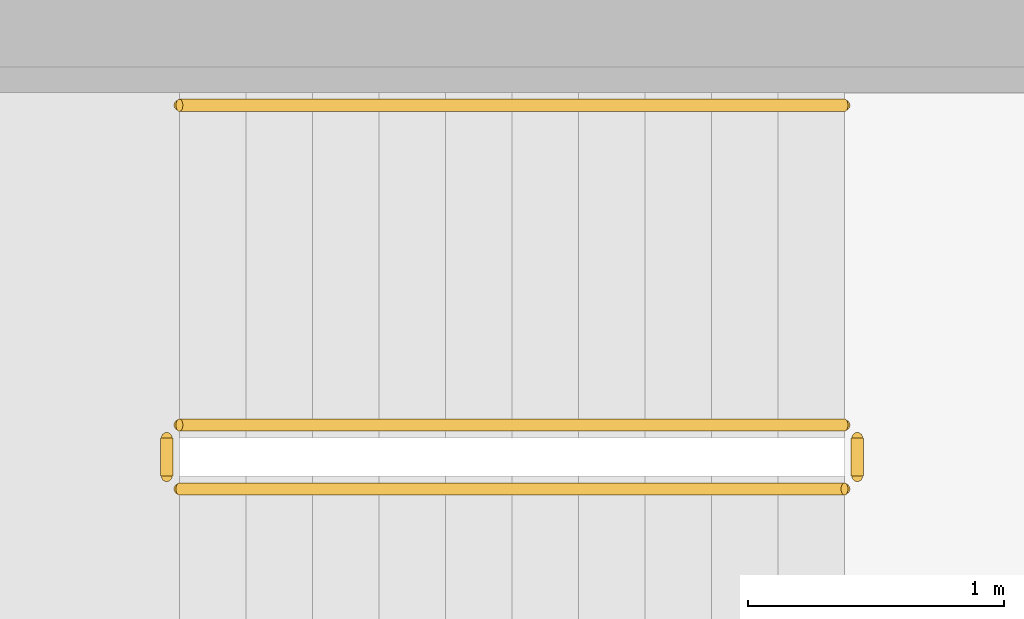
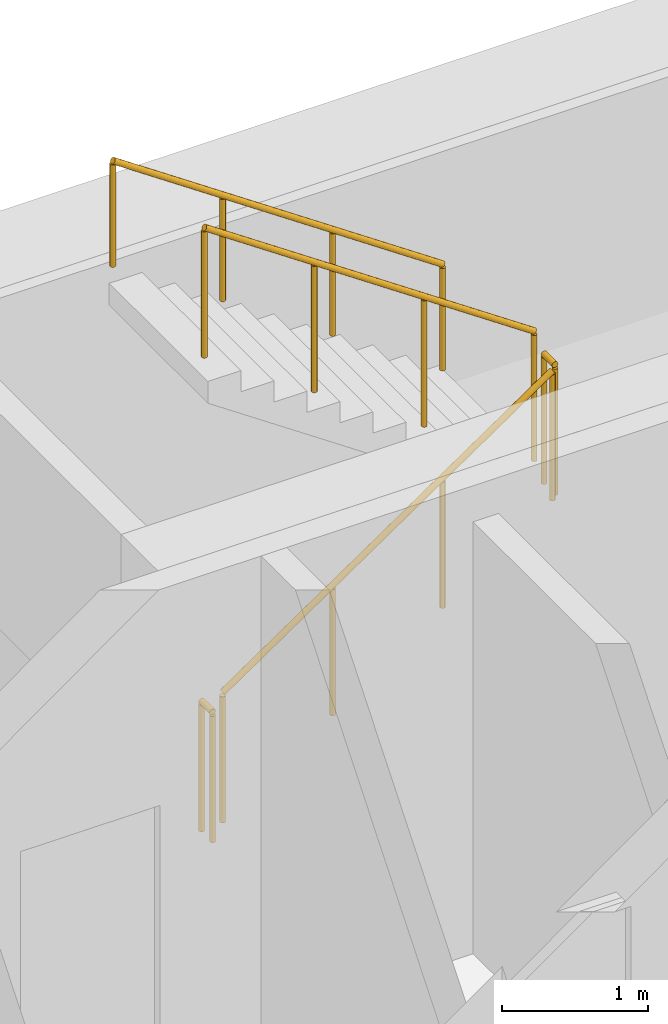
# One storey, part 9 of 9: 5 railings.
"""IFC4 building model written with IfcOpenShell, lengths in metres."""

from ifc_helpers import new_model, si_unit, direction, frame, origin, origin_2d, place, context, subcontext, project, spatial, circle, extrude, material, type_object, element, save


model = new_model("IFC4")

# Units and contexts
model_context = context("Model", 3, precision=1e-05, world=origin(), true_north=direction((0.0, 1.0)))
body_context = subcontext(model_context, "Body", "Model", "MODEL_VIEW")
ifc_project = project(units=[si_unit("LENGTHUNIT", "METRE"), si_unit("AREAUNIT", "SQUARE_METRE"), si_unit("VOLUMEUNIT", "CUBIC_METRE"), si_unit("PLANEANGLEUNIT", "RADIAN"), si_unit("MASSUNIT", "GRAM", prefix="KILO")], contexts=[model_context])

# Site, building, storey
site_placement = place(None, origin())
site = spatial("IfcSite", under=ifc_project, at=site_placement, CompositionType="ELEMENT")
building_placement = place(site_placement, origin())
building = spatial("IfcBuilding", under=site, at=building_placement, Name="White Candle Pilgrim Tower", CompositionType="ELEMENT")
storey_placement = place(building_placement, frame((0.0, 0.0, 239.39990234375)))
storey = spatial("IfcBuildingStorey", under=building, at=storey_placement, Name="L56", CompositionType="ELEMENT", Elevation=239.39990234375)

# Railings
ifc_material = material(Name="Stainless steel", Category="steel")
railing_type_1 = type_object("IfcRailingType", Name="Stair guard stainless steel 1100 mm", PredefinedType="GUARDRAIL", material=ifc_material)
railing_1_placement = place(storey_placement, frame((69.39990234375, 85.550048828125, 0.177490234375)))
element("IfcRailing", 1, at=railing_1_placement, inside=storey, type_object=railing_type_1, Name="L56 ST3 stair guard 1", PredefinedType="GUARDRAIL", context=body_context, shape_type="SweptSolid", body=[
    extrude(circle(Radius=0.02392578125, at=origin_2d()), frame((0.0, 0.0, 1.076171875), z_axis=(0.826240473404, 0.0, 0.563317565952), x_axis=(0.0, 1.0, 0.0)), (0.0, 0.0, 1.0), 3.14697265625),
    extrude(circle(Radius=0.02099609375, at=origin_2d()), origin(), (0.0, 0.0, 1.0), 1.052001953125),
    extrude(circle(Radius=0.02099609375, at=origin_2d()), frame((0.86669921875, 0.0, 0.5908203125)), (0.0, 0.0, 1.0), 1.052001953125),
    extrude(circle(Radius=0.02099609375, at=origin_2d()), frame((1.7333984375, 0.0, 1.181884765625)), (0.0, 0.0, 1.0), 1.052001953125),
    extrude(circle(Radius=0.02099609375, at=origin_2d()), frame((2.60009765625, 0.0, 1.772705078125)), (0.0, 0.0, 1.0), 1.052001953125),
])
railing_2_placement = place(storey_placement, frame((72.050048828125, 85.60009765625, 1.9501953125)))
element("IfcRailing", 2, at=railing_2_placement, inside=storey, type_object=railing_type_1, Name="L56 ST3 stair guard 2", PredefinedType="GUARDRAIL", context=body_context, shape_type="SweptSolid", body=[
    extrude(circle(Radius=0.02392578125, at=origin_2d()), frame((0.0, 0.0, 1.076171875), z_axis=(0.0, 1.0, 0.0), x_axis=(-1.0, 0.0, 0.0)), (0.0, 0.0, 1.0), 0.14990234375),
    extrude(circle(Radius=0.02099609375, at=origin_2d()), origin(), (0.0, 0.0, 1.0), 1.052001953125),
    extrude(circle(Radius=0.02099609375, at=origin_2d()), frame((0.0, 0.14990234375, 0.0)), (0.0, 0.0, 1.0), 1.052001953125),
])
railing_3_placement = place(storey_placement, frame((72.0, 85.800048828125, 2.12744140625)))
element("IfcRailing", 3, at=railing_3_placement, inside=storey, type_object=railing_type_1, Name="L56 ST3 stair guard 3", PredefinedType="GUARDRAIL", context=body_context, shape_type="SweptSolid", body=[
    extrude(circle(Radius=0.02392578125, at=origin_2d()), frame((0.0, 0.0, 1.076171875), z_axis=(-0.826240473404, 0.0, 0.563317565952), x_axis=(0.0, -1.0, 0.0)), (0.0, 0.0, 1.0), 3.14697265625),
    extrude(circle(Radius=0.02099609375, at=origin_2d()), origin(), (0.0, 0.0, 1.0), 1.052001953125),
    extrude(circle(Radius=0.02099609375, at=origin_2d()), frame((-0.86669921875, 0.0, 0.5908203125)), (0.0, 0.0, 1.0), 1.052001953125),
    extrude(circle(Radius=0.02099609375, at=origin_2d()), frame((-1.7333984375, 0.0, 1.181884765625)), (0.0, 0.0, 1.0), 1.052001953125),
    extrude(circle(Radius=0.02099609375, at=origin_2d()), frame((-2.60009765625, 0.0, 1.772705078125)), (0.0, 0.0, 1.0), 1.052001953125),
])
railing_4_placement = place(storey_placement, frame((69.35009765625, 85.60009765625, 0.0)))
element("IfcRailing", 4, at=railing_4_placement, inside=storey, type_object=railing_type_1, Name="L56 ST3 stair guard 4", PredefinedType="GUARDRAIL", context=body_context, shape_type="SweptSolid", body=[
    extrude(circle(Radius=0.02392578125, at=origin_2d()), frame((0.0, 0.0, 1.076171875), z_axis=(0.0, 1.0, 0.0), x_axis=(-1.0, 0.0, 0.0)), (0.0, 0.0, 1.0), 0.14990234375),
    extrude(circle(Radius=0.02099609375, at=origin_2d()), origin(), (0.0, 0.0, 1.0), 1.052001953125),
    extrude(circle(Radius=0.02099609375, at=origin_2d()), frame((0.0, 0.14990234375, 0.0)), (0.0, 0.0, 1.0), 1.052001953125),
])
railing_type_2 = type_object("IfcRailingType", Name="Stair handrail stainless steel", PredefinedType="HANDRAIL", material=ifc_material)
railing_5_placement = place(storey_placement, frame((72.0, 87.050048828125, 2.12744140625)))
element("IfcRailing", 5, at=railing_5_placement, inside=storey, type_object=railing_type_2, Name="L56 ST3 stair handrail 2", PredefinedType="HANDRAIL", context=body_context, shape_type="SweptSolid", body=[
    extrude(circle(Radius=0.02392578125, at=origin_2d()), frame((0.0, 0.0, 0.8759765625), z_axis=(-0.826240473404, 0.0, 0.563317565952), x_axis=(0.0, -1.0, 0.0)), (0.0, 0.0, 1.0), 3.14697265625),
    extrude(circle(Radius=0.02099609375, at=origin_2d()), origin(), (0.0, 0.0, 1.0), 0.851806640625),
    extrude(circle(Radius=0.02099609375, at=origin_2d()), frame((-0.86669921875, 0.0, 0.5908203125)), (0.0, 0.0, 1.0), 0.851806640625),
    extrude(circle(Radius=0.02099609375, at=origin_2d()), frame((-1.7333984375, 0.0, 1.181884765625)), (0.0, 0.0, 1.0), 0.851806640625),
    extrude(circle(Radius=0.02099609375, at=origin_2d()), frame((-2.60009765625, 0.0, 1.772705078125)), (0.0, 0.0, 1.0), 0.851806640625),
])

save(model, "model.ifc")
